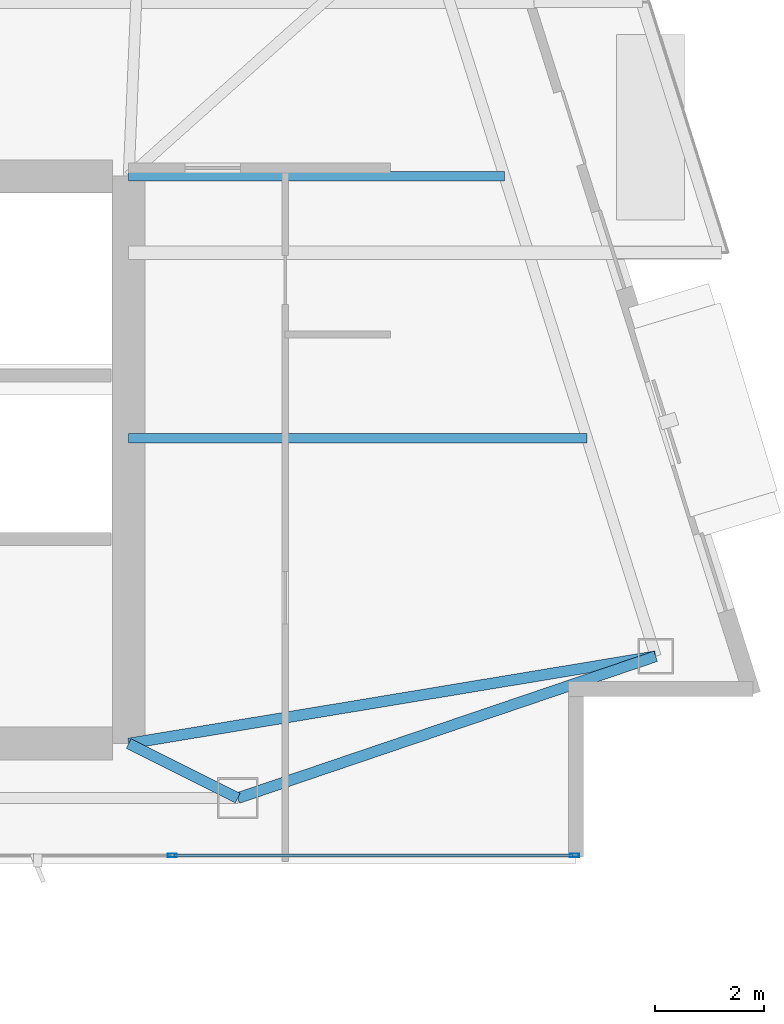
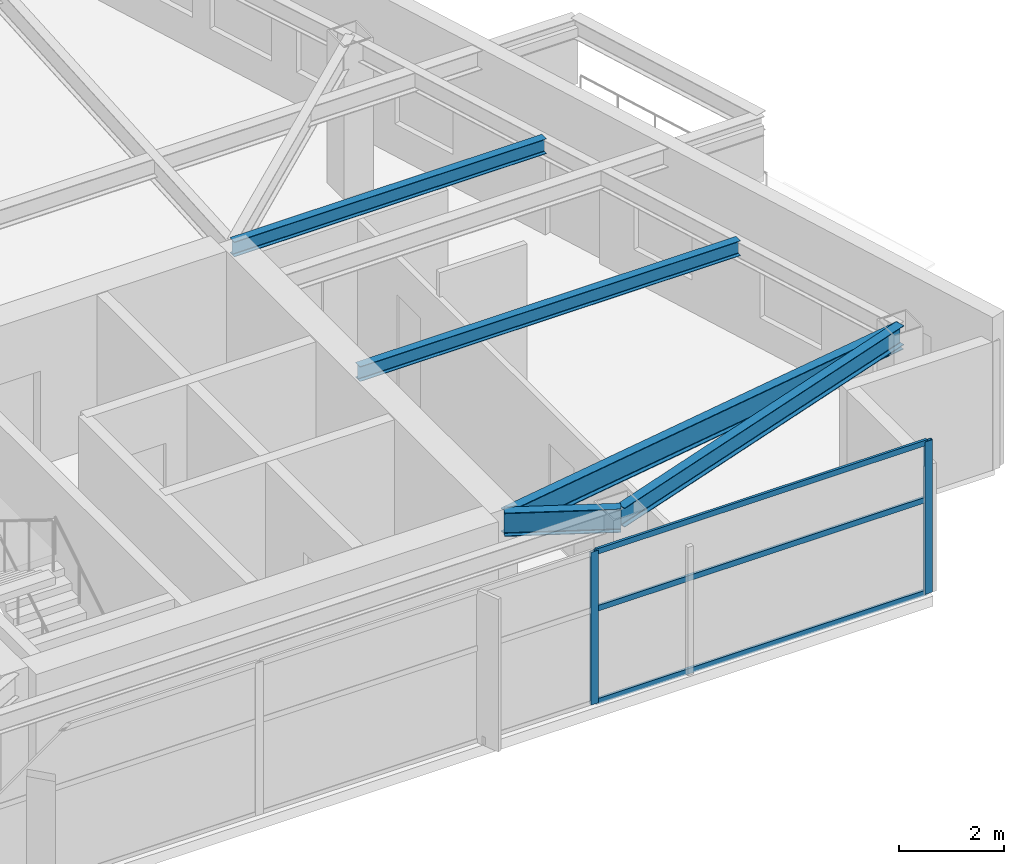
# One storey, part 14 of 28: 5 beams, 5 members, 1 element without a shape of its own.
"""IFC4 building model written with IfcOpenShell, lengths in metres."""

from ifc_helpers import new_model, si_unit, direction, frame, origin, origin_2d, place, context, subcontext, project, spatial, hollow_rectangle, i_section, extrude, material, layer, layer_set, material_profile, profile_set, type_object, element, aggregate, save


model = new_model("IFC4")

# Units and contexts
model_context = context("Model", 3, precision=1e-05, world=origin(), true_north=direction((0.0, 1.0)))
body_context = subcontext(model_context, "Body", "Model", "MODEL_VIEW")
ifc_project = project(units=[si_unit("LENGTHUNIT", "METRE"), si_unit("AREAUNIT", "SQUARE_METRE"), si_unit("VOLUMEUNIT", "CUBIC_METRE"), si_unit("PLANEANGLEUNIT", "RADIAN"), si_unit("MASSUNIT", "GRAM", prefix="KILO")], contexts=[model_context])

# Site, building, storey
site_placement = place(None, origin())
site = spatial("IfcSite", under=ifc_project, at=site_placement, CompositionType="ELEMENT")
building_placement = place(site_placement, origin())
building = spatial("IfcBuilding", under=site, at=building_placement, Name="Calvorn Quay Hotel", CompositionType="ELEMENT")
storey_placement = place(building_placement, frame((0.0, 0.0, 271.10009765625)))
storey = spatial("IfcBuildingStorey", under=building, at=storey_placement, Name="L67", CompositionType="ELEMENT", Elevation=271.10009765625)

# Beams
ifc_material_1 = material(Name="Steel Q355B", Category="steel")
ifc_material_profile_1 = material_profile(ifc_material_1, i_section(OverallWidth=0.199951171875, OverallDepth=0.550048828125, WebThickness=0.010009765625, FlangeThickness=0.01611328125, FilletRadius=0.01806640625, at=origin_2d()), Name="HN550x200x10x16")
ifc_profile_set_1 = profile_set([ifc_material_profile_1], Name="Steel Q355B")
beam_type_1 = type_object("IfcBeamType", Name="BM-GIRD-UPP", PredefinedType="BEAM", material=ifc_profile_set_1)
beam_1_placement = place(storey_placement, frame((34.39990234375, 3.60009765625, 3.264892578125), z_axis=(-0.894427191, 0.4472135955, 0.0), x_axis=(-0.4472135955, -0.894427191, 0.0)))
element("IfcBeam", 1, at=beam_1_placement, inside=storey, type_object=beam_type_1, Name="Beam BG-L67-S3", PredefinedType="BEAM", context=body_context, shape_type="SweptSolid", body=[
    extrude(i_section(OverallWidth=0.199951171875, OverallDepth=0.550048828125, WebThickness=0.010009765625, FlangeThickness=0.01611328125, FilletRadius=0.01806640625, at=origin_2d()), origin(), (0.0, 0.0, 1.0), 2.236083984375),
])
beam_2_placement = place(storey_placement, frame((32.39990234375, 4.60009765625, 3.264892578125), z_axis=(0.986564536395, 0.163372015743, 0.0), x_axis=(-0.163372015743, 0.986564536395, 0.0)))
element("IfcBeam", 2, at=beam_2_placement, inside=storey, type_object=beam_type_1, Name="Beam BG-L67-E1", PredefinedType="BEAM", context=body_context, shape_type="SweptSolid", body=[
    extrude(i_section(OverallWidth=0.199951171875, OverallDepth=0.550048828125, WebThickness=0.010009765625, FlangeThickness=0.01611328125, FilletRadius=0.01806640625, at=origin_2d()), origin(), (0.0, 0.0, 1.0), 9.792724609375),
])
ifc_material_2 = material(Name="Steel Q355B", Category="steel")
ifc_material_profile_2 = material_profile(ifc_material_2, i_section(OverallWidth=0.175048828125, OverallDepth=0.35009765625, WebThickness=0.007080078125, FlangeThickness=0.010986328125, FilletRadius=0.013916015625, at=origin_2d()), Name="HN350x175x7x11")
ifc_profile_set_2 = profile_set([ifc_material_profile_2], Name="Steel Q355B")
beam_type_2 = type_object("IfcBeamType", Name="BM-JOIST-SEC", PredefinedType="JOIST", material=ifc_profile_set_2)
beam_3_placement = place(storey_placement, frame((32.39990234375, 10.199951171875, 3.364990234375), z_axis=(1.0, 0.0, 0.0), x_axis=(0.0, 1.0, 0.0)))
element("IfcBeam", 3, at=beam_3_placement, inside=storey, type_object=beam_type_2, Name="Beam BJ-L67-E1", PredefinedType="JOIST", context=body_context, shape_type="SweptSolid", body=[
    extrude(i_section(OverallWidth=0.175048828125, OverallDepth=0.35009765625, WebThickness=0.007080078125, FlangeThickness=0.010986328125, FilletRadius=0.013916015625, at=origin_2d()), origin(), (0.0, 0.0, 1.0), 8.401123046875),
])
beam_4_placement = place(storey_placement, frame((32.39990234375, 15.0, 3.364990234375), z_axis=(1.0, 0.0, 0.0), x_axis=(0.0, 1.0, 0.0)))
element("IfcBeam", 4, at=beam_4_placement, inside=storey, type_object=beam_type_2, Name="Beam BJ-L67-E2", PredefinedType="JOIST", context=body_context, shape_type="SweptSolid", body=[
    extrude(i_section(OverallWidth=0.175048828125, OverallDepth=0.35009765625, WebThickness=0.007080078125, FlangeThickness=0.010986328125, FilletRadius=0.013916015625, at=origin_2d()), origin(), (0.0, 0.0, 1.0), 6.88818359375),
])
ifc_material_3 = material(Name="Steel Q355B", Category="steel")
ifc_material_profile_3 = material_profile(ifc_material_3, i_section(OverallWidth=0.199951171875, OverallDepth=0.449951171875, WebThickness=0.009033203125, FlangeThickness=0.013916015625, FilletRadius=0.01611328125, at=origin_2d()), Name="HN450x200x9x14")
ifc_profile_set_3 = profile_set([ifc_material_profile_3], Name="Steel Q355B")
beam_type_3 = type_object("IfcBeamType", Name="BM-SPANDREL-Z3", PredefinedType="SPANDREL", material=ifc_profile_set_3)
beam_5_placement = place(storey_placement, frame((34.39990234375, 3.60009765625, 3.31494140625), z_axis=(0.946958367473, 0.321356266897, 0.0), x_axis=(-0.321356266897, 0.946958367473, 0.0)))
element("IfcBeam", 5, at=beam_5_placement, inside=storey, type_object=beam_type_3, Name="Beam BSP-L67-S4", PredefinedType="SPANDREL", context=body_context, shape_type="SweptSolid", body=[
    extrude(i_section(OverallWidth=0.199951171875, OverallDepth=0.449951171875, WebThickness=0.009033203125, FlangeThickness=0.013916015625, FilletRadius=0.01611328125, at=origin_2d()), origin(), (0.0, 0.0, 1.0), 8.09033203125),
])

# Curtain wall, members
ifc_material_4 = material(Name="Champagne Bronze Anodised Aluminium and Low-E Glass", Category="aluminium")
ifc_layer = layer(ifc_material_4, 0.219970703125)
ifc_layer_set = layer_set([ifc_layer], Name="CW-SYS-Z4")
curtain_wall_type = type_object("IfcCurtainWallType", Name="CW-SYS-Z4", PredefinedType="NOTDEFINED", material=ifc_layer_set)
curtain_wall_placement = place(storey_placement, origin())
curtain_wall = element("IfcCurtainWall", 6, at=curtain_wall_placement, inside=storey, type_object=curtain_wall_type, Name="Tower South Waterfront Curtain Wall (L67)", PredefinedType="NOTDEFINED")
ifc_material_5 = material(Name="Champagne Bronze Anodised Aluminium 6063-T6", Category="aluminium")
ifc_material_profile_4 = material_profile(ifc_material_5, hollow_rectangle(XDim=0.06494140625, YDim=0.169921875, WallThickness=0.00341796875, at=origin_2d()), Name="ALU-M170x65x3.5")
ifc_profile_set_4 = profile_set([ifc_material_profile_4], Name="Champagne Bronze Anodised Aluminium 6063-T6")
member_type_1 = type_object("IfcMemberType", Name="CW-SYS-Z4-MUL", PredefinedType="MULLION", material=ifc_profile_set_4)
member_1_placement = place(storey_placement, frame((33.199951171875, 2.550048828125, 0.0), z_axis=(0.0, 0.0, 1.0), x_axis=(0.0, 1.0, 0.0)))
member_1 = element("IfcMember", 7, at=member_1_placement, type_object=member_type_1, Name="CW-L67-S mullion 4", PredefinedType="MULLION", context=body_context, shape_type="SweptSolid", body=[
    extrude(hollow_rectangle(XDim=0.06494140625, YDim=0.169921875, WallThickness=0.00341796875, at=origin_2d()), origin(), (0.0, 0.0, 1.0), 3.559814453125),
])
member_2_placement = place(storey_placement, frame((40.570068359375, 2.550048828125, 0.0), z_axis=(0.0, 0.0, 1.0), x_axis=(0.0, 1.0, 0.0)))
member_2 = element("IfcMember", 8, at=member_2_placement, type_object=member_type_1, Name="CW-L67-S mullion 5", PredefinedType="MULLION", context=body_context, shape_type="SweptSolid", body=[
    extrude(hollow_rectangle(XDim=0.06494140625, YDim=0.169921875, WallThickness=0.00341796875, at=origin_2d()), origin(), (0.0, 0.0, 1.0), 3.559814453125),
])
ifc_material_6 = material(Name="Champagne Bronze Anodised Aluminium 6063-T6", Category="aluminium")
ifc_material_profile_5 = material_profile(ifc_material_6, hollow_rectangle(XDim=0.054931640625, YDim=0.1298828125, WallThickness=0.003173828125, at=origin_2d()), Name="ALU-T130x55x3.2")
ifc_profile_set_5 = profile_set([ifc_material_profile_5], Name="Champagne Bronze Anodised Aluminium 6063-T6")
member_type_2 = type_object("IfcMemberType", Name="CW-SYS-Z4-TRN", PredefinedType="USERDEFINED", material=ifc_profile_set_5)
member_3_placement = place(storey_placement, frame((33.22998046875, 2.550048828125, 0.02978515625), z_axis=(1.0, 0.0, 0.0), x_axis=(0.0, 1.0, 0.0)))
member_3 = element("IfcMember", 9, at=member_3_placement, type_object=member_type_2, Name="CW-L67-S transom 4.1", ObjectType="TRANSOM", PredefinedType="USERDEFINED", context=body_context, shape_type="SweptSolid", body=[
    extrude(hollow_rectangle(XDim=0.054931640625, YDim=0.1298828125, WallThickness=0.003173828125, at=origin_2d()), origin(), (0.0, 0.0, 1.0), 7.31005859375),
])
member_4_placement = place(storey_placement, frame((33.22998046875, 2.550048828125, 2.199951171875), z_axis=(1.0, 0.0, 0.0), x_axis=(0.0, 1.0, 0.0)))
member_4 = element("IfcMember", 10, at=member_4_placement, type_object=member_type_2, Name="CW-L67-S transom 4.2", ObjectType="TRANSOM", PredefinedType="USERDEFINED", context=body_context, shape_type="SweptSolid", body=[
    extrude(hollow_rectangle(XDim=0.054931640625, YDim=0.1298828125, WallThickness=0.003173828125, at=origin_2d()), origin(), (0.0, 0.0, 1.0), 7.31005859375),
])
member_5_placement = place(storey_placement, frame((33.22998046875, 2.550048828125, 3.52978515625), z_axis=(1.0, 0.0, 0.0), x_axis=(0.0, 1.0, 0.0)))
member_5 = element("IfcMember", 11, at=member_5_placement, type_object=member_type_2, Name="CW-L67-S transom 4.3", ObjectType="TRANSOM", PredefinedType="USERDEFINED", context=body_context, shape_type="SweptSolid", body=[
    extrude(hollow_rectangle(XDim=0.054931640625, YDim=0.1298828125, WallThickness=0.003173828125, at=origin_2d()), origin(), (0.0, 0.0, 1.0), 7.31005859375),
])
aggregate(curtain_wall, [member_1, member_2, member_3, member_4, member_5])

save(model, "model.ifc")
